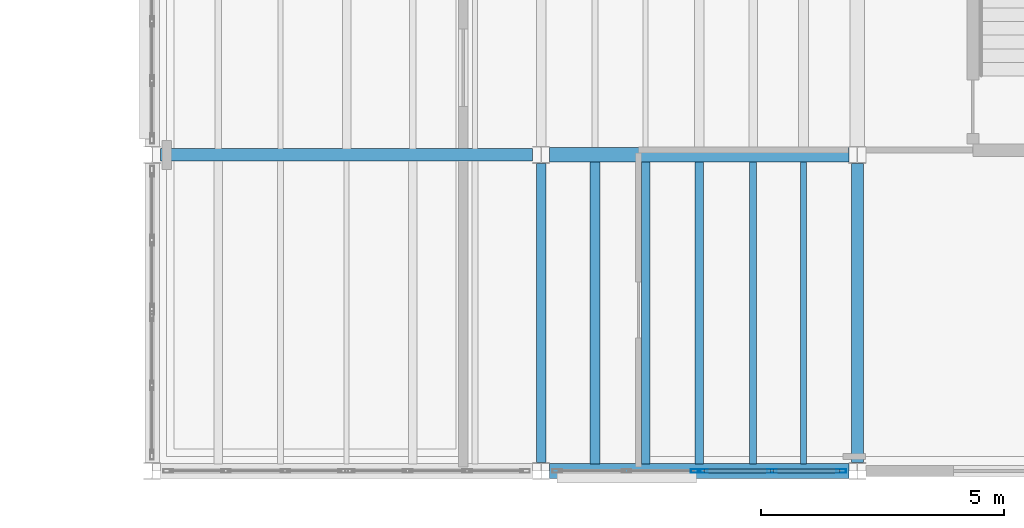
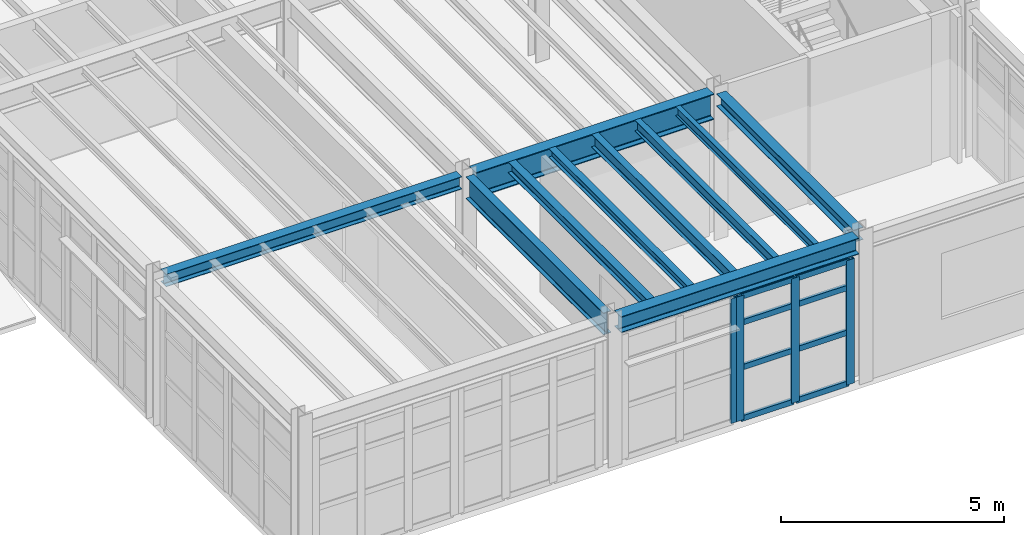
# One storey, part 29 of 77: 12 members, 10 beams, 2 elements without a shape of their own.
"""IFC4 building model written with IfcOpenShell, lengths in metres."""

from ifc_helpers import new_model, si_unit, direction, frame, origin, origin_2d, place, context, subcontext, project, spatial, hollow_rectangle, i_section, extrude, material, material_profile, profile_set, type_object, element, aggregate, save


model = new_model("IFC4")

# Units and contexts
model_context = context("Model", 3, precision=1e-05, world=origin(), true_north=direction((0.0, 1.0)))
body_context = subcontext(model_context, "Body", "Model", "MODEL_VIEW")
ifc_project = project(units=[si_unit("LENGTHUNIT", "METRE"), si_unit("AREAUNIT", "SQUARE_METRE"), si_unit("VOLUMEUNIT", "CUBIC_METRE"), si_unit("PLANEANGLEUNIT", "RADIAN"), si_unit("MASSUNIT", "GRAM", prefix="KILO"), si_unit("THERMODYNAMICTEMPERATUREUNIT", "KELVIN"), si_unit("POWERUNIT", "WATT")], contexts=[model_context])

# Site, building, storey
site_placement = place(None, origin())
site = spatial("IfcSite", under=ifc_project, at=site_placement, CompositionType="ELEMENT")
building_placement = place(site_placement, origin())
building = spatial("IfcBuilding", under=site, at=building_placement, Name="Zhenchuan Central Fire Station", CompositionType="ELEMENT")
storey_placement = place(building_placement, frame((0.0, 0.0, 10.050048828125)))
storey = spatial("IfcBuildingStorey", under=building, at=storey_placement, Name="L03", CompositionType="ELEMENT", Elevation=10.050048828125)

# Beams
ifc_material_1 = material(Name="Steel Q355B", Category="steel")
ifc_material_profile_1 = material_profile(ifc_material_1, i_section(OverallWidth=0.25, OverallDepth=0.340087890625, WebThickness=0.009033203125, FlangeThickness=0.013916015625, FilletRadius=0.01806640625, at=origin_2d()), Name="HM 340x250")
ifc_profile_set_1 = profile_set([ifc_material_profile_1], Name="Steel Q355B")
beam_type_1 = type_object("IfcBeamType", Name="BM-HM340", PredefinedType="BEAM", material=ifc_profile_set_1)
beam_1_placement = place(storey_placement, frame((140.175048828125, 6.5, 3.829833984375), z_axis=(1.0, 0.0, 0.0), x_axis=(0.0, 1.0, 0.0)))
element("IfcBeam", 1, at=beam_1_placement, inside=storey, type_object=beam_type_1, Name="L04 Girder EW 0350", PredefinedType="BEAM", context=body_context, shape_type="SweptSolid", body=[
    extrude(i_section(OverallWidth=0.25, OverallDepth=0.340087890625, WebThickness=0.009033203125, FlangeThickness=0.013916015625, FilletRadius=0.01806640625, at=origin_2d()), origin(), (0.0, 0.0, 1.0), 7.64990234375),
])
beam_2_placement = place(storey_placement, frame((154.5, 0.175048828125, 3.829833984375), z_axis=(0.0, 1.0, 0.0), x_axis=(-1.0, 0.0, 0.0)))
element("IfcBeam", 2, at=beam_2_placement, inside=storey, type_object=beam_type_1, Name="L04 Girder NS 0416", PredefinedType="BEAM", context=body_context, shape_type="SweptSolid", body=[
    extrude(i_section(OverallWidth=0.25, OverallDepth=0.340087890625, WebThickness=0.009033203125, FlangeThickness=0.013916015625, FilletRadius=0.01806640625, at=origin_2d()), origin(), (0.0, 0.0, 1.0), 6.14990234375),
])
ifc_material_profile_2 = material_profile(ifc_material_1, i_section(OverallWidth=0.300048828125, OverallDepth=0.43994140625, WebThickness=0.010986328125, FlangeThickness=0.01806640625, FilletRadius=0.02197265625, at=origin_2d()), Name="HM 440x300")
ifc_profile_set_2 = profile_set([ifc_material_profile_2], Name="Steel Q355B")
beam_type_2 = type_object("IfcBeamType", Name="BM-HM440", PredefinedType="BEAM", material=ifc_profile_set_2)
beam_3_placement = place(storey_placement, frame((148.175048828125, 0.0, 3.780029296875), z_axis=(1.0, 0.0, 0.0), x_axis=(0.0, 1.0, 0.0)))
element("IfcBeam", 3, at=beam_3_placement, inside=storey, type_object=beam_type_2, Name="L04 Girder EW 0348", PredefinedType="BEAM", context=body_context, shape_type="SweptSolid", body=[
    extrude(i_section(OverallWidth=0.300048828125, OverallDepth=0.43994140625, WebThickness=0.010986328125, FlangeThickness=0.01806640625, FilletRadius=0.02197265625, at=origin_2d()), origin(), (0.0, 0.0, 1.0), 6.14990234375),
])
ifc_material_profile_3 = material_profile(ifc_material_1, i_section(OverallWidth=0.199951171875, OverallDepth=0.60009765625, WebThickness=0.010986328125, FlangeThickness=0.01708984375, FilletRadius=0.02197265625, at=origin_2d()), Name="HN 600x200")
ifc_profile_set_3 = profile_set([ifc_material_profile_3], Name="Steel Q355B")
beam_type_3 = type_object("IfcBeamType", Name="BM-HN600-INT", PredefinedType="BEAM", material=ifc_profile_set_3)
beam_4_placement = place(storey_placement, frame((148.0, 0.175048828125, 3.699951171875), z_axis=(0.0, 1.0, 0.0), x_axis=(-1.0, 0.0, 0.0)))
element("IfcBeam", 4, at=beam_4_placement, inside=storey, type_object=beam_type_3, Name="L04 Girder NS 0409", PredefinedType="BEAM", context=body_context, shape_type="SweptSolid", body=[
    extrude(i_section(OverallWidth=0.199951171875, OverallDepth=0.60009765625, WebThickness=0.010986328125, FlangeThickness=0.01708984375, FilletRadius=0.02197265625, at=origin_2d()), origin(), (0.0, 0.0, 1.0), 6.14990234375),
])
ifc_material_profile_4 = material_profile(ifc_material_1, i_section(OverallWidth=0.300048828125, OverallDepth=0.699951171875, WebThickness=0.012939453125, FlangeThickness=0.02392578125, FilletRadius=0.02392578125, at=origin_2d()), Name="HN 700x300")
ifc_profile_set_4 = profile_set([ifc_material_profile_4], Name="Steel Q355B")
beam_type_4 = type_object("IfcBeamType", Name="BM-HN700", PredefinedType="BEAM", material=ifc_profile_set_4)
beam_5_placement = place(storey_placement, frame((148.175048828125, 6.5, 3.64990234375), z_axis=(1.0, 0.0, 0.0), x_axis=(0.0, 1.0, 0.0)))
element("IfcBeam", 5, at=beam_5_placement, inside=storey, type_object=beam_type_4, Name="L04 Girder EW 0351", PredefinedType="BEAM", context=body_context, shape_type="SweptSolid", body=[
    extrude(i_section(OverallWidth=0.300048828125, OverallDepth=0.699951171875, WebThickness=0.012939453125, FlangeThickness=0.02392578125, FilletRadius=0.02392578125, at=origin_2d()), origin(), (0.0, 0.0, 1.0), 6.14990234375),
])

# Curtain wall, member
ifc_material_2 = material(Name="Anodised aluminium and low-E glazing", Category="aluminium")
curtain_wall_type_1 = type_object("IfcCurtainWallType", Name="CW-MOD-06", PredefinedType="USERDEFINED", material=ifc_material_2)
curtain_wall_1_placement = place(storey_placement, origin())
curtain_wall_1 = element("IfcCurtainWall", 6, at=curtain_wall_1_placement, inside=storey, type_object=curtain_wall_type_1, Name="L03 Unitised Curtain Wall 102", ObjectType="UNITISED GLAZING", PredefinedType="USERDEFINED")
ifc_material_3 = material(Name="Anodised aluminium EN AW-6063", Category="aluminium")
ifc_material_profile_5 = material_profile(ifc_material_3, hollow_rectangle(XDim=0.074951171875, YDim=0.199951171875, WallThickness=0.0048828125, at=origin_2d()), Name="ALU-M 200x75")
ifc_profile_set_5 = profile_set([ifc_material_profile_5], Name="Anodised aluminium EN AW-6063")
member_type_1 = type_object("IfcMemberType", Name="CW-MUL160", PredefinedType="MULLION", material=ifc_profile_set_5)
member_1_placement = place(storey_placement, frame((151.179443359375, 0.0, -0.004150390625), z_axis=(0.0, 0.0, 1.0), x_axis=(0.0, 1.0, 0.0)))
member_1 = element("IfcMember", 7, at=member_1_placement, type_object=member_type_1, Name="CW-06 mullion 3", PredefinedType="MULLION", context=body_context, shape_type="SweptSolid", body=[
    extrude(hollow_rectangle(XDim=0.074951171875, YDim=0.199951171875, WallThickness=0.0048828125, at=origin_2d()), origin(), (0.0, 0.0, 1.0), 3.404052734375),
])
aggregate(curtain_wall_1, [member_1])

# Curtain wall, members
curtain_wall_type_2 = type_object("IfcCurtainWallType", Name="CW-MOD-07", PredefinedType="USERDEFINED", material=ifc_material_2)
curtain_wall_2_placement = place(storey_placement, origin())
curtain_wall_2 = element("IfcCurtainWall", 8, at=curtain_wall_2_placement, inside=storey, type_object=curtain_wall_type_2, Name="L03 Unitised Curtain Wall 103", ObjectType="UNITISED GLAZING", PredefinedType="USERDEFINED")
member_2_placement = place(storey_placement, frame((151.320556640625, 0.0, -0.004150390625), z_axis=(0.0, 0.0, 1.0), x_axis=(0.0, 1.0, 0.0)))
member_2 = element("IfcMember", 9, at=member_2_placement, type_object=member_type_1, Name="CW-07 mullion 1", PredefinedType="MULLION", context=body_context, shape_type="SweptSolid", body=[
    extrude(hollow_rectangle(XDim=0.074951171875, YDim=0.199951171875, WallThickness=0.0048828125, at=origin_2d()), origin(), (0.0, 0.0, 1.0), 3.404052734375),
])
member_3_placement = place(storey_placement, frame((152.743896484375, 0.0, -0.004150390625), z_axis=(0.0, 0.0, 1.0), x_axis=(0.0, 1.0, 0.0)))
member_3 = element("IfcMember", 10, at=member_3_placement, type_object=member_type_1, Name="CW-07 mullion 2", PredefinedType="MULLION", context=body_context, shape_type="SweptSolid", body=[
    extrude(hollow_rectangle(XDim=0.074951171875, YDim=0.199951171875, WallThickness=0.0048828125, at=origin_2d()), origin(), (0.0, 0.0, 1.0), 3.404052734375),
])
member_4_placement = place(storey_placement, frame((154.16748046875, 0.0, -0.004150390625), z_axis=(0.0, 0.0, 1.0), x_axis=(0.0, 1.0, 0.0)))
member_4 = element("IfcMember", 11, at=member_4_placement, type_object=member_type_1, Name="CW-07 mullion 3", PredefinedType="MULLION", context=body_context, shape_type="SweptSolid", body=[
    extrude(hollow_rectangle(XDim=0.074951171875, YDim=0.199951171875, WallThickness=0.0048828125, at=origin_2d()), origin(), (0.0, 0.0, 1.0), 3.404052734375),
])
ifc_material_profile_6 = material_profile(ifc_material_3, hollow_rectangle(XDim=0.074951171875, YDim=0.14990234375, WallThickness=0.0048828125, at=origin_2d()), Name="ALU-T 150x75")
ifc_profile_set_6 = profile_set([ifc_material_profile_6], Name="Anodised aluminium EN AW-6063")
member_type_2 = type_object("IfcMemberType", Name="CW-TRN130", PredefinedType="NOTDEFINED", material=ifc_profile_set_6)
member_5_placement = place(storey_placement, frame((151.35302734375, 0.0, 0.028564453125), z_axis=(1.0, 0.0, 0.0), x_axis=(0.0, 1.0, 0.0)))
member_5 = element("IfcMember", 12, at=member_5_placement, type_object=member_type_2, Name="CW-07 transom 1.1", ObjectType="TRANSOM", PredefinedType="USERDEFINED", context=body_context, shape_type="SweptSolid", body=[
    extrude(hollow_rectangle(XDim=0.074951171875, YDim=0.14990234375, WallThickness=0.0048828125, at=origin_2d()), origin(), (0.0, 0.0, 1.0), 1.3583984375),
])
member_6_placement = place(storey_placement, frame((151.35302734375, 0.0, 1.427978515625), z_axis=(1.0, 0.0, 0.0), x_axis=(0.0, 1.0, 0.0)))
member_6 = element("IfcMember", 13, at=member_6_placement, type_object=member_type_2, Name="CW-07 transom 1.2", ObjectType="TRANSOM", PredefinedType="USERDEFINED", context=body_context, shape_type="SweptSolid", body=[
    extrude(hollow_rectangle(XDim=0.074951171875, YDim=0.14990234375, WallThickness=0.0048828125, at=origin_2d()), origin(), (0.0, 0.0, 1.0), 1.3583984375),
])
member_7_placement = place(storey_placement, frame((151.35302734375, 0.0, 2.65185546875), z_axis=(1.0, 0.0, 0.0), x_axis=(0.0, 1.0, 0.0)))
member_7 = element("IfcMember", 14, at=member_7_placement, type_object=member_type_2, Name="CW-07 transom 1.3", ObjectType="TRANSOM", PredefinedType="USERDEFINED", context=body_context, shape_type="SweptSolid", body=[
    extrude(hollow_rectangle(XDim=0.074951171875, YDim=0.14990234375, WallThickness=0.0048828125, at=origin_2d()), origin(), (0.0, 0.0, 1.0), 1.3583984375),
])
member_8_placement = place(storey_placement, frame((151.35302734375, 0.0, 3.367431640625), z_axis=(1.0, 0.0, 0.0), x_axis=(0.0, 1.0, 0.0)))
member_8 = element("IfcMember", 15, at=member_8_placement, type_object=member_type_2, Name="CW-07 transom 1.4", ObjectType="TRANSOM", PredefinedType="USERDEFINED", context=body_context, shape_type="SweptSolid", body=[
    extrude(hollow_rectangle(XDim=0.074951171875, YDim=0.14990234375, WallThickness=0.0048828125, at=origin_2d()), origin(), (0.0, 0.0, 1.0), 1.3583984375),
])
member_9_placement = place(storey_placement, frame((152.776611328125, 0.0, 0.028564453125), z_axis=(1.0, 0.0, 0.0), x_axis=(0.0, 1.0, 0.0)))
member_9 = element("IfcMember", 16, at=member_9_placement, type_object=member_type_2, Name="CW-07 transom 2.1", ObjectType="TRANSOM", PredefinedType="USERDEFINED", context=body_context, shape_type="SweptSolid", body=[
    extrude(hollow_rectangle(XDim=0.074951171875, YDim=0.14990234375, WallThickness=0.0048828125, at=origin_2d()), origin(), (0.0, 0.0, 1.0), 1.3583984375),
])
member_10_placement = place(storey_placement, frame((152.776611328125, 0.0, 1.427978515625), z_axis=(1.0, 0.0, 0.0), x_axis=(0.0, 1.0, 0.0)))
member_10 = element("IfcMember", 17, at=member_10_placement, type_object=member_type_2, Name="CW-07 transom 2.2", ObjectType="TRANSOM", PredefinedType="USERDEFINED", context=body_context, shape_type="SweptSolid", body=[
    extrude(hollow_rectangle(XDim=0.074951171875, YDim=0.14990234375, WallThickness=0.0048828125, at=origin_2d()), origin(), (0.0, 0.0, 1.0), 1.3583984375),
])
member_11_placement = place(storey_placement, frame((152.776611328125, 0.0, 2.65185546875), z_axis=(1.0, 0.0, 0.0), x_axis=(0.0, 1.0, 0.0)))
member_11 = element("IfcMember", 18, at=member_11_placement, type_object=member_type_2, Name="CW-07 transom 2.3", ObjectType="TRANSOM", PredefinedType="USERDEFINED", context=body_context, shape_type="SweptSolid", body=[
    extrude(hollow_rectangle(XDim=0.074951171875, YDim=0.14990234375, WallThickness=0.0048828125, at=origin_2d()), origin(), (0.0, 0.0, 1.0), 1.3583984375),
])
member_12_placement = place(storey_placement, frame((152.776611328125, 0.0, 3.367431640625), z_axis=(1.0, 0.0, 0.0), x_axis=(0.0, 1.0, 0.0)))
member_12 = element("IfcMember", 19, at=member_12_placement, type_object=member_type_2, Name="CW-07 transom 2.4", ObjectType="TRANSOM", PredefinedType="USERDEFINED", context=body_context, shape_type="SweptSolid", body=[
    extrude(hollow_rectangle(XDim=0.074951171875, YDim=0.14990234375, WallThickness=0.0048828125, at=origin_2d()), origin(), (0.0, 0.0, 1.0), 1.3583984375),
])
aggregate(curtain_wall_2, [member_2, member_3, member_4, member_5, member_6, member_7, member_8, member_9, member_10, member_11, member_12])

# Beams
ifc_material_profile_7 = material_profile(ifc_material_1, i_section(OverallWidth=0.175048828125, OverallDepth=0.243896484375, WebThickness=0.007080078125, FlangeThickness=0.010986328125, FilletRadius=0.012939453125, at=origin_2d()), Name="HM 244x175")
ifc_profile_set_7 = profile_set([ifc_material_profile_7], Name="Steel Q355B")
beam_type_5 = type_object("IfcBeamType", Name="JS-HM244", PredefinedType="JOIST", material=ifc_profile_set_7)
beam_6_placement = place(storey_placement, frame((150.14501953125, 0.14697265625, 3.8779296875), z_axis=(0.0, 1.0, 0.0), x_axis=(-1.0, 0.0, 0.0)))
element("IfcBeam", 20, at=beam_6_placement, inside=storey, type_object=beam_type_5, Name="L04 Secondary Joist 0576", PredefinedType="JOIST", context=body_context, shape_type="SweptSolid", body=[
    extrude(i_section(OverallWidth=0.175048828125, OverallDepth=0.243896484375, WebThickness=0.007080078125, FlangeThickness=0.010986328125, FilletRadius=0.012939453125, at=origin_2d()), origin(), (0.0, 0.0, 1.0), 6.2060546875),
])
ifc_material_profile_8 = material_profile(ifc_material_1, i_section(OverallWidth=0.199951171875, OverallDepth=0.2939453125, WebThickness=0.008056640625, FlangeThickness=0.011962890625, FilletRadius=0.01611328125, at=origin_2d()), Name="HM 294x200")
ifc_profile_set_8 = profile_set([ifc_material_profile_8], Name="Steel Q355B")
beam_type_6 = type_object("IfcBeamType", Name="JS-HM294", PredefinedType="JOIST", material=ifc_profile_set_8)
beam_7_placement = place(storey_placement, frame((149.10498046875, 0.14697265625, 3.85302734375), z_axis=(0.0, 1.0, 0.0), x_axis=(-1.0, 0.0, 0.0)))
element("IfcBeam", 21, at=beam_7_placement, inside=storey, type_object=beam_type_6, Name="L04 Secondary Joist 0575", PredefinedType="JOIST", context=body_context, shape_type="SweptSolid", body=[
    extrude(i_section(OverallWidth=0.199951171875, OverallDepth=0.2939453125, WebThickness=0.008056640625, FlangeThickness=0.011962890625, FilletRadius=0.01611328125, at=origin_2d()), origin(), (0.0, 0.0, 1.0), 6.2060546875),
])
ifc_material_profile_9 = material_profile(ifc_material_1, i_section(OverallWidth=0.125, OverallDepth=0.25, WebThickness=0.006103515625, FlangeThickness=0.009033203125, FilletRadius=0.011962890625, at=origin_2d()), Name="HN 250x125")
ifc_profile_set_9 = profile_set([ifc_material_profile_9], Name="Steel Q355B")
beam_type_7 = type_object("IfcBeamType", Name="JS-HN250", PredefinedType="JOIST", material=ifc_profile_set_9)
beam_8_placement = place(storey_placement, frame((153.39501953125, 0.14697265625, 3.875), z_axis=(0.0, 1.0, 0.0), x_axis=(-1.0, 0.0, 0.0)))
element("IfcBeam", 22, at=beam_8_placement, inside=storey, type_object=beam_type_7, Name="L04 Secondary Joist 0579", PredefinedType="JOIST", context=body_context, shape_type="SweptSolid", body=[
    extrude(i_section(OverallWidth=0.125, OverallDepth=0.25, WebThickness=0.006103515625, FlangeThickness=0.009033203125, FilletRadius=0.011962890625, at=origin_2d()), origin(), (0.0, 0.0, 1.0), 6.2060546875),
])
ifc_material_profile_10 = material_profile(ifc_material_1, i_section(OverallWidth=0.14990234375, OverallDepth=0.300048828125, WebThickness=0.006591796875, FlangeThickness=0.009033203125, FilletRadius=0.012939453125, at=origin_2d()), Name="HN 300x150")
ifc_profile_set_10 = profile_set([ifc_material_profile_10], Name="Steel Q355B")
beam_type_8 = type_object("IfcBeamType", Name="JS-HN300", PredefinedType="JOIST", material=ifc_profile_set_10)
beam_9_placement = place(storey_placement, frame((152.35498046875, 0.14697265625, 3.849853515625), z_axis=(0.0, 1.0, 0.0), x_axis=(-1.0, 0.0, 0.0)))
element("IfcBeam", 23, at=beam_9_placement, inside=storey, type_object=beam_type_8, Name="L04 Secondary Joist 0578", PredefinedType="JOIST", context=body_context, shape_type="SweptSolid", body=[
    extrude(i_section(OverallWidth=0.14990234375, OverallDepth=0.300048828125, WebThickness=0.006591796875, FlangeThickness=0.009033203125, FilletRadius=0.012939453125, at=origin_2d()), origin(), (0.0, 0.0, 1.0), 6.2060546875),
])
ifc_material_profile_11 = material_profile(ifc_material_1, i_section(OverallWidth=0.175048828125, OverallDepth=0.35009765625, WebThickness=0.007080078125, FlangeThickness=0.010986328125, FilletRadius=0.013916015625, at=origin_2d()), Name="HN 350x175")
ifc_profile_set_11 = profile_set([ifc_material_profile_11], Name="Steel Q355B")
beam_type_9 = type_object("IfcBeamType", Name="JS-HN350", PredefinedType="JOIST", material=ifc_profile_set_11)
beam_10_placement = place(storey_placement, frame((151.25, 0.14697265625, 3.824951171875), z_axis=(0.0, 1.0, 0.0), x_axis=(-1.0, 0.0, 0.0)))
element("IfcBeam", 24, at=beam_10_placement, inside=storey, type_object=beam_type_9, Name="L04 Secondary Joist 0577", PredefinedType="JOIST", context=body_context, shape_type="SweptSolid", body=[
    extrude(i_section(OverallWidth=0.175048828125, OverallDepth=0.35009765625, WebThickness=0.007080078125, FlangeThickness=0.010986328125, FilletRadius=0.013916015625, at=origin_2d()), origin(), (0.0, 0.0, 1.0), 6.2060546875),
])

save(model, "model.ifc")
